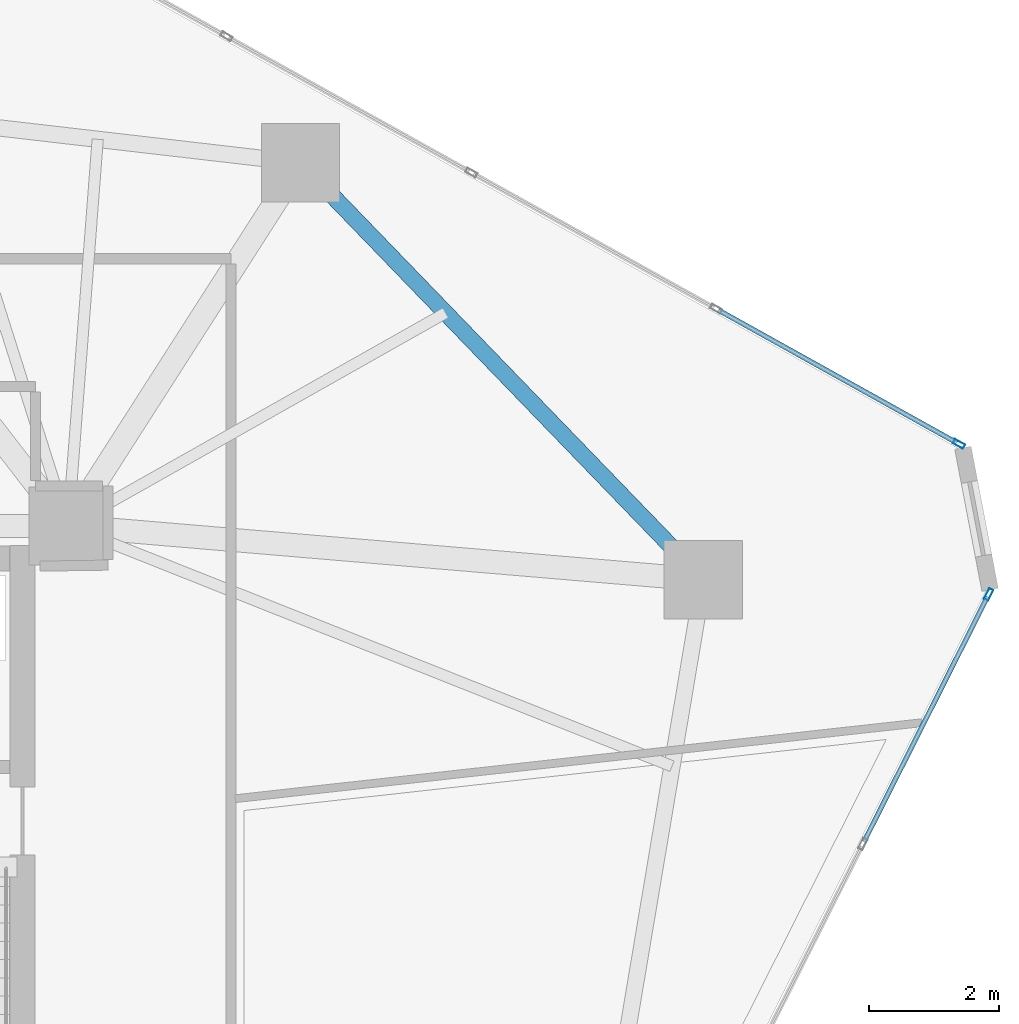
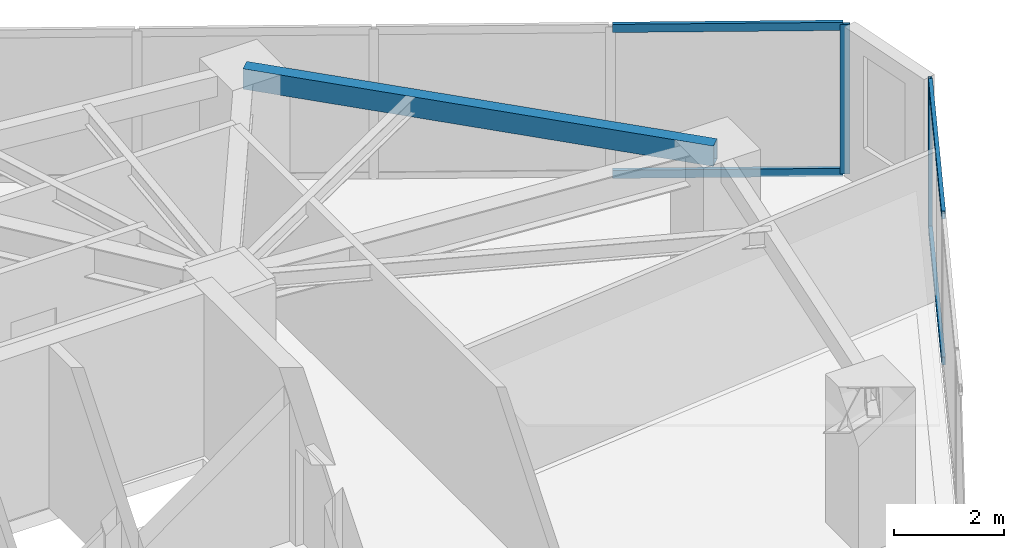
# One storey, part 11 of 21: 6 members, 1 beam, 2 elements without a shape of their own.
"""IFC4 building model written with IfcOpenShell, lengths in metres."""

from ifc_helpers import new_model, si_unit, direction, frame, origin, origin_2d, place, context, subcontext, project, spatial, hollow_rectangle, extrude, source, transform, mapped, material, layer, layer_set, material_profile, profile_set, type_object, type_shapes, element, aggregate, save


model = new_model("IFC4")

# Units and contexts
model_context = context("Model", 3, precision=1e-05, world=origin(), true_north=direction((0.0, 1.0)))
body_context = subcontext(model_context, "Body", "Model", "MODEL_VIEW")
ifc_project = project(units=[si_unit("LENGTHUNIT", "METRE"), si_unit("AREAUNIT", "SQUARE_METRE"), si_unit("VOLUMEUNIT", "CUBIC_METRE"), si_unit("PLANEANGLEUNIT", "RADIAN"), si_unit("MASSUNIT", "GRAM", prefix="KILO")], contexts=[model_context])

# Site, building, storey
site_placement = place(None, origin())
site = spatial("IfcSite", under=ifc_project, at=site_placement, CompositionType="ELEMENT")
building_placement = place(site_placement, origin())
building = spatial("IfcBuilding", under=site, at=building_placement, Name="Talar Marvaseh", CompositionType="ELEMENT")
storey_placement = place(building_placement, frame((0.0, 0.0, 147.0)))
storey = spatial("IfcBuildingStorey", under=building, at=storey_placement, Name="L38", CompositionType="ELEMENT", Elevation=147.0)

# Beam
ifc_material_1 = material(Name="Steel S355", Category="steel")
ifc_material_profile_1 = material_profile(ifc_material_1, hollow_rectangle(XDim=0.25, YDim=0.449951171875, WallThickness=0.01611328125, at=origin_2d()), Name="RHS450x250x16")
ifc_profile_set_1 = profile_set([ifc_material_profile_1], Name="Steel S355")
beam_type = type_object("IfcBeamType", Name="Zone 2 Perimeter Spandrel Beam RHS450x250x16", PredefinedType="SPANDREL", material=ifc_profile_set_1)
beam_placement = place(storey_placement, frame((36.865966796875, 42.470947265625, 3.0849609375), z_axis=(0.694796856243, -0.719206040405, 0.0), x_axis=(0.719206040405, 0.694796856243, 0.0)))
element("IfcBeam", 1, at=beam_placement, inside=storey, type_object=beam_type, Name="L38 Zone 2 Perimeter Spandrel Beam RHS450x250x16", PredefinedType="SPANDREL", context=body_context, shape_type="SweptSolid", body=[
    extrude(hollow_rectangle(XDim=0.25, YDim=0.449951171875, WallThickness=0.01611328125, at=origin_2d()), origin(), (0.0, 0.0, 1.0), 8.891845703125),
])

# Curtain wall, member
ifc_material_2 = material(Name="Architectural Aluminium", Category="aluminium")
ifc_layer = layer(ifc_material_2, 0.199951171875)
ifc_layer_set = layer_set([ifc_layer], Name="Architectural Aluminium")
curtain_wall_type = type_object("IfcCurtainWallType", Name="Unitised Acoustic Library Curtain Wall Z2", PredefinedType="NOTDEFINED", material=ifc_layer_set)
curtain_wall_1_placement = place(storey_placement, origin())
curtain_wall_1 = element("IfcCurtainWall", 2, at=curtain_wall_1_placement, inside=storey, type_object=curtain_wall_type, Name="L38 Unitised Acoustic Library Curtain Wall Z2", PredefinedType="NOTDEFINED")
ifc_material_profile_2 = material_profile(ifc_material_2, hollow_rectangle(XDim=0.074951171875, YDim=0.179931640625, WallThickness=0.0048828125, at=origin_2d()), Name="RHS180x75x5")
ifc_profile_set_2 = profile_set([ifc_material_profile_2], Name="Architectural Aluminium")
member_type_1 = type_object("IfcMemberType", Name="Unitised Curtain Wall Standard Mullion RHS180x75x5", PredefinedType="MULLION", material=ifc_profile_set_2)
shared_shape_1 = source(origin(), body_context, "Body", "SweptSolid", [
    extrude(hollow_rectangle(XDim=0.074951171875, YDim=0.179931640625, WallThickness=0.0048828125, at=origin_2d()), origin(), (0.0, 0.0, 1.0), 3.31005859375),
])
type_shapes(member_type_1, [shared_shape_1])
member_1_placement = place(storey_placement, frame((46.963623046875, 38.158447265625, 0.0), z_axis=(0.0, 0.0, 1.0), x_axis=(0.486277930747, 0.873804196641, 0.0)))
member_1 = element("IfcMember", 3, at=member_1_placement, type_object=member_type_1, Name="CW-Z2 mullion 5", PredefinedType="MULLION", context=body_context, shape_type="MappedRepresentation", body=[
    mapped(shared_shape_1, transform((0.0, 0.0, 0.0), x_axis=(1.0, 0.0, 0.0), y_axis=(0.0, 1.0, 0.0), z_axis=(0.0, 0.0, 1.0), scale=1.0)),
])

curtain_wall_2_placement = place(storey_placement, origin())
curtain_wall_2 = element("IfcCurtainWall", 4, at=curtain_wall_2_placement, inside=storey, type_object=curtain_wall_type, Name="L38 Unitised Acoustic Library Curtain Wall Z2", PredefinedType="NOTDEFINED")
member_2_placement = place(storey_placement, frame((47.420166015625, 35.85009765625, 0.0), z_axis=(0.0, 0.0, 1.0), x_axis=(0.892909429351, -0.450236327916, 0.0)))
member_2 = element("IfcMember", 5, at=member_2_placement, type_object=member_type_1, Name="CW-Z2 mullion 1", PredefinedType="MULLION", context=body_context, shape_type="MappedRepresentation", body=[
    mapped(shared_shape_1, transform((0.0, 0.0, 0.0), x_axis=(1.0, 0.0, 0.0), y_axis=(0.0, 1.0, 0.0), z_axis=(0.0, 0.0, 1.0), scale=1.0)),
])

# Member
ifc_material_profile_3 = material_profile(ifc_material_2, hollow_rectangle(XDim=0.074951171875, YDim=0.179931640625, WallThickness=0.0048828125, at=origin_2d()), Name="RHS180x75x5")
ifc_profile_set_3 = profile_set([ifc_material_profile_3], Name="Architectural Aluminium")
member_type_2 = type_object("IfcMemberType", Name="Unitised Curtain Wall Transom RHS180x75x5", PredefinedType="USERDEFINED", material=ifc_profile_set_3)
shared_shape_2 = source(origin(), body_context, "Body", "SweptSolid", [
    extrude(hollow_rectangle(XDim=0.074951171875, YDim=0.179931640625, WallThickness=0.0048828125, at=origin_2d()), origin(), (0.0, 0.0, 1.0), 4.185302734375),
])
member_3_placement = place(storey_placement, frame((43.2734375, 40.2119140625, 0.03759765625), z_axis=(0.873815872239, -0.486256949999, 0.0), x_axis=(0.486256949999, 0.873815872239, 0.0)))
member_3 = element("IfcMember", 6, at=member_3_placement, type_object=member_type_2, Name="CW-Z2 transom 4.1", ObjectType="TRANSOM", PredefinedType="USERDEFINED", context=body_context, shape_type="MappedRepresentation", body=[
    mapped(shared_shape_2, transform((0.0, 0.0, 0.0), x_axis=(1.0, 0.0, 0.0), y_axis=(0.0, 1.0, 0.0), z_axis=(0.0, 0.0, 1.0), scale=1.0)),
])

member_4_placement = place(storey_placement, frame((43.2734375, 40.2119140625, 3.2724609375), z_axis=(0.873815872239, -0.486256949999, 0.0), x_axis=(0.486256949999, 0.873815872239, 0.0)))
member_4 = element("IfcMember", 7, at=member_4_placement, type_object=member_type_2, Name="CW-Z2 transom 4.2", ObjectType="TRANSOM", PredefinedType="USERDEFINED", context=body_context, shape_type="MappedRepresentation", body=[
    mapped(shared_shape_2, transform((0.0, 0.0, 0.0), x_axis=(1.0, 0.0, 0.0), y_axis=(0.0, 1.0, 0.0), z_axis=(0.0, 0.0, 1.0), scale=1.0)),
])

aggregate(curtain_wall_1, [member_1, member_3, member_4])

shared_shape_3 = source(origin(), body_context, "Body", "SweptSolid", [
    extrude(hollow_rectangle(XDim=0.074951171875, YDim=0.179931640625, WallThickness=0.0048828125, at=origin_2d()), origin(), (0.0, 0.0, 1.0), 4.2109375),
])
type_shapes(member_type_2, [shared_shape_2, shared_shape_3])
member_5_placement = place(storey_placement, frame((47.4033203125, 35.816650390625, 0.03759765625), z_axis=(-0.450249008075, -0.892903035457, 0.0), x_axis=(0.892903035457, -0.450249008075, 0.0)))
member_5 = element("IfcMember", 8, at=member_5_placement, type_object=member_type_2, Name="CW-Z2 transom 1.1", ObjectType="TRANSOM", PredefinedType="USERDEFINED", context=body_context, shape_type="MappedRepresentation", body=[
    mapped(shared_shape_3, transform((0.0, 0.0, 0.0), x_axis=(1.0, 0.0, 0.0), y_axis=(0.0, 1.0, 0.0), z_axis=(0.0, 0.0, 1.0), scale=1.0)),
])

member_6_placement = place(storey_placement, frame((47.4033203125, 35.816650390625, 3.2724609375), z_axis=(-0.450249008075, -0.892903035457, 0.0), x_axis=(0.892903035457, -0.450249008075, 0.0)))
member_6 = element("IfcMember", 9, at=member_6_placement, type_object=member_type_2, Name="CW-Z2 transom 1.2", ObjectType="TRANSOM", PredefinedType="USERDEFINED", context=body_context, shape_type="MappedRepresentation", body=[
    mapped(shared_shape_3, transform((0.0, 0.0, 0.0), x_axis=(1.0, 0.0, 0.0), y_axis=(0.0, 1.0, 0.0), z_axis=(0.0, 0.0, 1.0), scale=1.0)),
])

aggregate(curtain_wall_2, [member_2, member_5, member_6])

save(model, "model.ifc")
